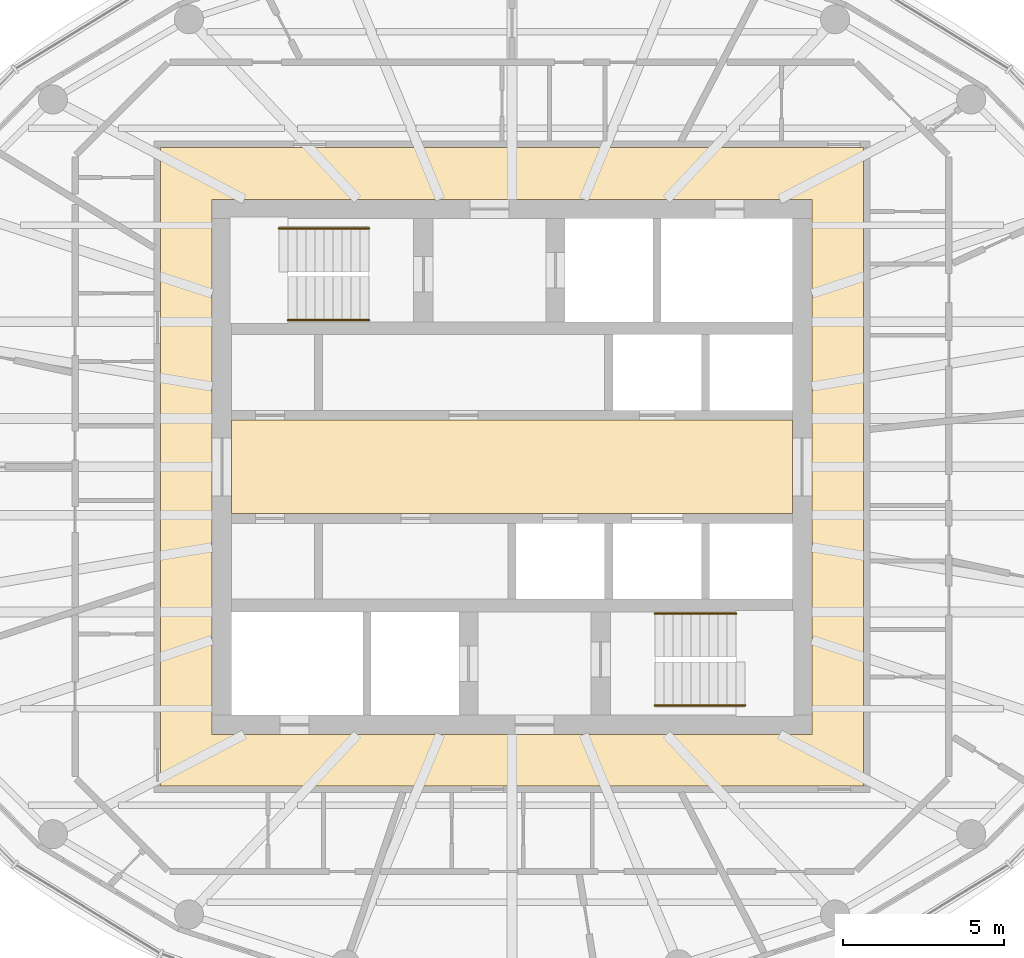
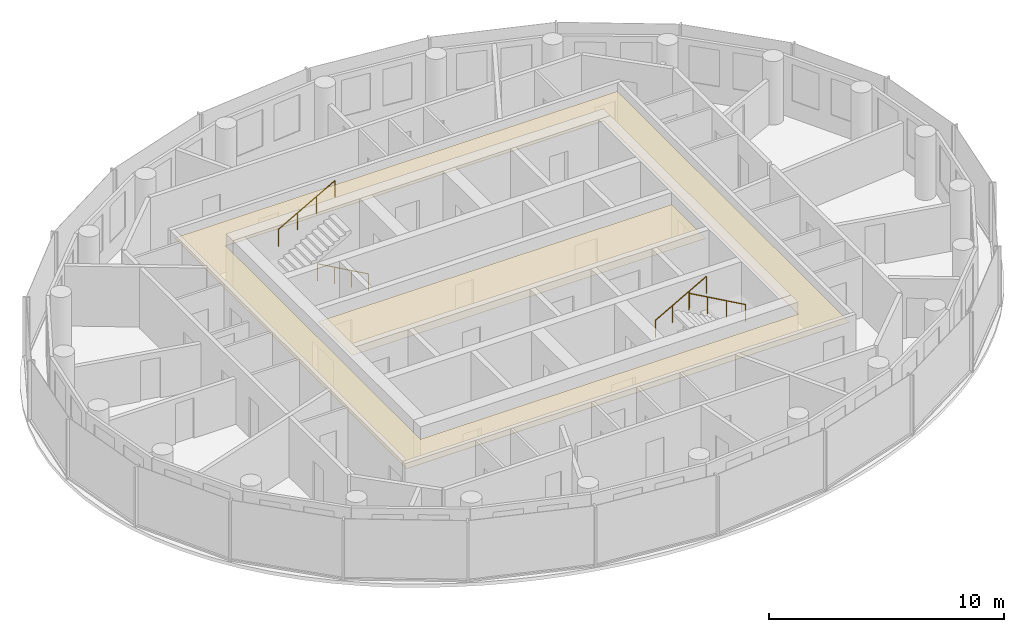
# One storey, part 11 of 11: 4 railings, 2 coverings.
"""IFC4 building model written with IfcOpenShell, lengths in metres."""

from ifc_helpers import new_model, si_unit, direction, frame, origin, origin_2d, place, context, subcontext, project, spatial, polyline, circle, outline, extrude, material, layer, layer_set, type_object, element, save


model = new_model("IFC4")

# Units and contexts
model_context = context("Model", 3, precision=1e-05, world=origin(), true_north=direction((0.0, 1.0)))
body_context = subcontext(model_context, "Body", "Model", "MODEL_VIEW")
ifc_project = project(units=[si_unit("LENGTHUNIT", "METRE"), si_unit("AREAUNIT", "SQUARE_METRE"), si_unit("VOLUMEUNIT", "CUBIC_METRE"), si_unit("PLANEANGLEUNIT", "RADIAN"), si_unit("MASSUNIT", "GRAM", prefix="KILO")], contexts=[model_context])

# Site, building, storey
site_placement = place(None, origin())
site = spatial("IfcSite", under=ifc_project, at=site_placement, CompositionType="ELEMENT")
building_placement = place(site_placement, origin())
building = spatial("IfcBuilding", under=site, at=building_placement, Name="Hankou Lantern Tower", CompositionType="ELEMENT")
storey_placement = place(building_placement, frame((0.0, 0.0, 212.699951171875)))
storey = spatial("IfcBuildingStorey", under=building, at=storey_placement, Name="L57", CompositionType="ELEMENT", Elevation=212.699951171875)

# Coverings
ifc_material_1 = material(Name="Black painted aluminium linear ceiling panels", Category="aluminium")
ifc_layer_1 = layer(ifc_material_1, 0.02490234375)
ifc_layer_set_1 = layer_set([ifc_layer_1], Name="Black painted aluminium linear ceiling panels")
covering_type_1 = type_object("IfcCoveringType", Name="CL1 CORRIDOR CEILING 25", PredefinedType="CEILING", material=ifc_layer_set_1)
covering_1_placement = place(storey_placement, frame((0.0, 0.0, 2.64501953125)))
element("IfcCovering", 1, at=covering_1_placement, inside=storey, type_object=covering_type_1, Name="Corridor ceiling L57", PredefinedType="CEILING", context=body_context, shape_type="SweptSolid", body=[
    extrude(outline(polyline([(-10.89990234375, -9.89990234375), (10.89990234375, -9.89990234375), (10.89990234375, 9.89990234375), (-10.89990234375, 9.89990234375), (-10.89990234375, -9.89990234375)]), holes=[polyline([(-9.300048828125, 8.300048828125), (9.300048828125, 8.300048828125), (9.300048828125, -8.300048828125), (-9.300048828125, -8.300048828125), (-9.300048828125, 8.300048828125)])]), origin(), (0.0, 0.0, 1.0), 0.025146484375),
])
ifc_material_2 = material(Name="Perforated black aluminium acoustic tray ceiling", Category="aluminium")
ifc_layer_2 = layer(ifc_material_2, 0.014892578125)
ifc_layer_set_2 = layer_set([ifc_layer_2], Name="Perforated black aluminium acoustic tray ceiling")
covering_type_2 = type_object("IfcCoveringType", Name="CL2 LIFT LOBBY CEILING 15", PredefinedType="CEILING", material=ifc_layer_set_2)
covering_2_placement = place(storey_placement, frame((0.0, 0.0, 2.655029296875)))
element("IfcCovering", 2, at=covering_2_placement, inside=storey, type_object=covering_type_2, Name="Lift lobby ceiling L57", PredefinedType="CEILING", context=body_context, shape_type="SweptSolid", body=[
    extrude(outline(polyline([(-8.699951171875, -1.449951171875), (8.699951171875, -1.449951171875), (8.699951171875, 1.449951171875), (-8.699951171875, 1.449951171875), (-8.699951171875, -1.449951171875)])), origin(), (0.0, 0.0, 1.0), 0.01513671875),
])

# Railings
ifc_material_3 = material(Name="Steel handrail", Category="steel")
railing_type = type_object("IfcRailingType", Name="HR1 STAIR HANDRAIL", PredefinedType="HANDRAIL", material=ifc_material_3)
railing_1_placement = place(storey_placement, frame((-4.429931640625, 4.550048828125, 0.900146484375)))
element("IfcRailing", 3, at=railing_1_placement, inside=storey, type_object=railing_type, Name="Handrail stair STA L57 flight 1", PredefinedType="HANDRAIL", context=body_context, shape_type="SweptSolid", body=[
    extrude(circle(Radius=0.02392578125, at=origin_2d()), frame((0.0, 0.0, 0.8759765625), z_axis=(-0.872048945198, 0.0, 0.489418672692), x_axis=(0.0, -1.0, 0.0)), (0.0, 0.0, 1.0), 2.8896484375),
    extrude(circle(Radius=0.02099609375, at=origin_2d()), origin(), (0.0, 0.0, 1.0), 0.851806640625),
    extrude(circle(Radius=0.02099609375, at=origin_2d()), frame((-0.840087890625, 0.0, 0.471435546875)), (0.0, 0.0, 1.0), 0.851806640625),
    extrude(circle(Radius=0.02099609375, at=origin_2d()), frame((-1.679931640625, 0.0, 0.94287109375)), (0.0, 0.0, 1.0), 0.851806640625),
    extrude(circle(Radius=0.02099609375, at=origin_2d()), frame((-2.52001953125, 0.0, 1.414306640625)), (0.0, 0.0, 1.0), 0.851806640625),
])
railing_2_placement = place(storey_placement, frame((-7.22998046875, 7.39990234375, 2.471435546875)))
element("IfcRailing", 4, at=railing_2_placement, inside=storey, type_object=railing_type, Name="Handrail stair STA L57 flight 2", PredefinedType="HANDRAIL", context=body_context, shape_type="SweptSolid", body=[
    extrude(circle(Radius=0.02392578125, at=origin_2d()), frame((0.0, 0.0, 0.8759765625), z_axis=(0.872040151574, 0.0, 0.489434340891), x_axis=(0.0, 1.0, 0.0)), (0.0, 0.0, 1.0), 3.2109375),
    extrude(circle(Radius=0.02099609375, at=origin_2d()), origin(), (0.0, 0.0, 1.0), 0.851806640625),
    extrude(circle(Radius=0.02099609375, at=origin_2d()), frame((0.933349609375, 0.0, 0.52392578125)), (0.0, 0.0, 1.0), 0.851806640625),
    extrude(circle(Radius=0.02099609375, at=origin_2d()), frame((1.86669921875, 0.0, 1.047607421875)), (0.0, 0.0, 1.0), 0.851806640625),
    extrude(circle(Radius=0.02099609375, at=origin_2d()), frame((2.800048828125, 0.0, 1.571533203125)), (0.0, 0.0, 1.0), 0.851806640625),
])
railing_3_placement = place(storey_placement, frame((4.429931640625, -4.550048828125, 0.900146484375)))
element("IfcRailing", 5, at=railing_3_placement, inside=storey, type_object=railing_type, Name="Handrail stair STB L57 flight 1", PredefinedType="HANDRAIL", context=body_context, shape_type="SweptSolid", body=[
    extrude(circle(Radius=0.02392578125, at=origin_2d()), frame((0.0, 0.0, 0.8759765625), z_axis=(0.872048945198, 0.0, 0.489418672692), x_axis=(0.0, 1.0, 0.0)), (0.0, 0.0, 1.0), 2.8896484375),
    extrude(circle(Radius=0.02099609375, at=origin_2d()), origin(), (0.0, 0.0, 1.0), 0.851806640625),
    extrude(circle(Radius=0.02099609375, at=origin_2d()), frame((0.840087890625, 0.0, 0.471435546875)), (0.0, 0.0, 1.0), 0.851806640625),
    extrude(circle(Radius=0.02099609375, at=origin_2d()), frame((1.679931640625, 0.0, 0.94287109375)), (0.0, 0.0, 1.0), 0.851806640625),
    extrude(circle(Radius=0.02099609375, at=origin_2d()), frame((2.52001953125, 0.0, 1.414306640625)), (0.0, 0.0, 1.0), 0.851806640625),
])
railing_4_placement = place(storey_placement, frame((7.22998046875, -7.39990234375, 2.471435546875)))
element("IfcRailing", 6, at=railing_4_placement, inside=storey, type_object=railing_type, Name="Handrail stair STB L57 flight 2", PredefinedType="HANDRAIL", context=body_context, shape_type="SweptSolid", body=[
    extrude(circle(Radius=0.02392578125, at=origin_2d()), frame((0.0, 0.0, 0.8759765625), z_axis=(-0.872040151574, 0.0, 0.489434340891), x_axis=(0.0, -1.0, 0.0)), (0.0, 0.0, 1.0), 3.2109375),
    extrude(circle(Radius=0.02099609375, at=origin_2d()), origin(), (0.0, 0.0, 1.0), 0.851806640625),
    extrude(circle(Radius=0.02099609375, at=origin_2d()), frame((-0.933349609375, 0.0, 0.52392578125)), (0.0, 0.0, 1.0), 0.851806640625),
    extrude(circle(Radius=0.02099609375, at=origin_2d()), frame((-1.86669921875, 0.0, 1.047607421875)), (0.0, 0.0, 1.0), 0.851806640625),
    extrude(circle(Radius=0.02099609375, at=origin_2d()), frame((-2.800048828125, 0.0, 1.571533203125)), (0.0, 0.0, 1.0), 0.851806640625),
])

save(model, "model.ifc")
